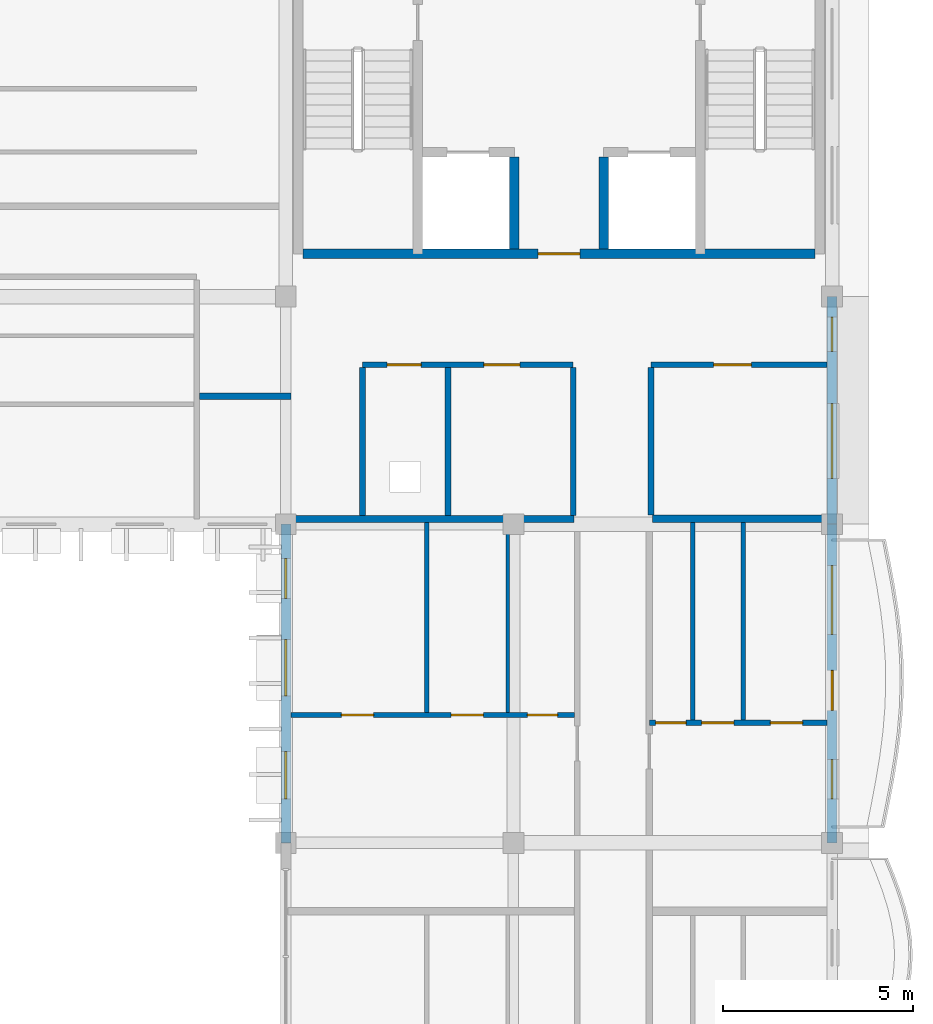
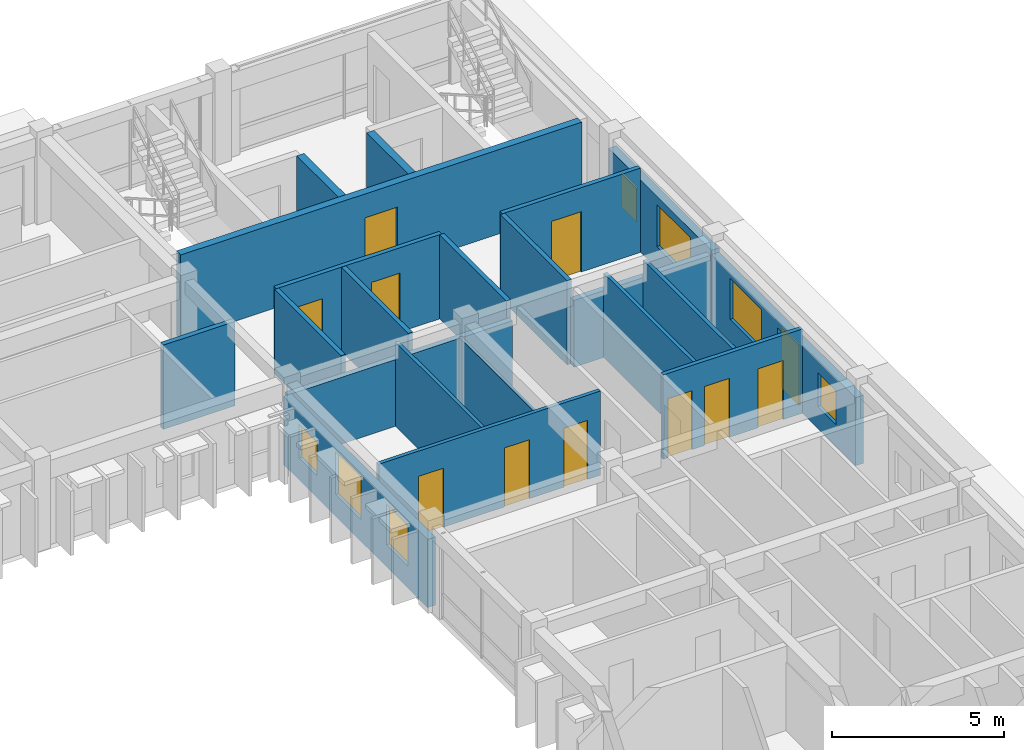
# One storey, part 35 of 54: 21 walls, 11 doors, 7 windows, 18 openings.
"""IFC4 building model written with IfcOpenShell, lengths in metres."""

from ifc_helpers import new_model, si_unit, direction, frame, frame_2d, origin, place, context, subcontext, project, spatial, rectangle, extrude, material, layer, layer_set, type_object, element, fill, save


model = new_model("IFC4")

# Units and contexts
model_context = context("Model", 3, precision=1e-05, world=origin(), true_north=direction((0.0, 1.0)))
body_context = subcontext(model_context, "Body", "Model", "MODEL_VIEW")
ifc_project = project(units=[si_unit("LENGTHUNIT", "METRE"), si_unit("AREAUNIT", "SQUARE_METRE"), si_unit("VOLUMEUNIT", "CUBIC_METRE"), si_unit("PLANEANGLEUNIT", "RADIAN"), si_unit("MASSUNIT", "GRAM", prefix="KILO"), si_unit("THERMODYNAMICTEMPERATUREUNIT", "KELVIN")], contexts=[model_context])

# Site, building, storey
site_placement = place(None, origin())
site = spatial("IfcSite", under=ifc_project, at=site_placement, CompositionType="ELEMENT")
building_placement = place(site_placement, origin())
building = spatial("IfcBuilding", under=site, at=building_placement, Name="Thalorik Housing Commons", CompositionType="ELEMENT")
storey_placement = place(building_placement, frame((0.0, 0.0, 31.199951171875)))
storey = spatial("IfcBuildingStorey", under=building, at=storey_placement, Name="L09", CompositionType="ELEMENT", Elevation=31.199951171875)

# Walls
ifc_material_1 = material(Name="Concrete C40/50", Category="concrete")
ifc_layer_1 = layer(ifc_material_1, 0.25, Name="Concrete C40/50", Category="concrete")
ifc_layer_set_1 = layer_set([ifc_layer_1], Name="Concrete C40/50")
wall_type_1 = type_object("IfcWallType", Name="ARC-WAL-CORE-250", PredefinedType="SHEAR", material=ifc_layer_set_1)
for number, where, z_axis, x_axis, name in (
    (1, (158.425048828125, 118.875, 0.0), (0.0, 0.0, 1.0), (0.0, -1.0, 0.0), "L09 Lift 1 Cheek Wall"),
    (2, (160.77490234375, 118.875, 0.0), (0.0, 0.0, 1.0), (0.0, -1.0, 0.0), "L09 Lift 2 Cheek Wall"),
):
    element("IfcWall", number, at=place(storey_placement, frame(where, z_axis=z_axis, x_axis=x_axis)), inside=storey, type_object=wall_type_1, Name=name, PredefinedType="SHEAR", context=body_context, shape_type="SweptSolid", body=[
        extrude(rectangle(XDim=2.425048828125, YDim=0.25, at=frame_2d((1.21240234375, 0.0))), origin(), (0.0, 0.0, 1.0), 3.0),
    ])

# Wall, opening, door
wall_1_placement = place(storey_placement, frame((152.85009765625, 116.324951171875, 0.0), z_axis=(0.0, 0.0, 1.0), x_axis=(1.0, 0.0, 0.0)))
wall_1 = element("IfcWall", 3, at=wall_1_placement, inside=storey, type_object=wall_type_1, Name="L09 Core B Spine Shear Wall", PredefinedType="SHEAR", context=body_context, shape_type="SweptSolid", body=[
    extrude(rectangle(XDim=13.5, YDim=0.25, at=frame_2d((6.75, 0.0))), origin(), (0.0, 0.0, 1.0), 3.0),
])
opening_1_placement = place(wall_1_placement, frame((6.199951171875, 0.0, 0.0)))
opening_1 = element("IfcOpeningElement", 4, at=opening_1_placement, cuts=wall_1, Name="Opening ID-0221", PredefinedType="OPENING", context=body_context, shape_type="SweptSolid", body=[
    extrude(rectangle(XDim=1.10009765625, YDim=2.14990234375, at=frame_2d((0.550048828125, 1.074951171875))), frame((0.0, 0.135009765625, 0.0), z_axis=(0.0, -1.0, 0.0), x_axis=(1.0, 0.0, 0.0)), (0.0, 0.0, 1.0), 0.27001953125),
])
ifc_material_2 = material(Name="Steel S355", Category="steel")
door_type_1 = type_object("IfcDoorType", Name="ARC-DR-FD60-1100", OperationType="NOTDEFINED", PredefinedType="DOOR", material=ifc_material_2)
door_1_placement = place(opening_1_placement, origin())
door_1 = element("IfcDoor", 5, at=door_1_placement, inside=storey, type_object=door_type_1, Name="L09 Core B Lobby Fire Door", OperationType="SINGLE_SWING_RIGHT", OverallHeight=2.14990234375, OverallWidth=1.10009765625, PredefinedType="DOOR", context=body_context, shape_type="SweptSolid", body=[
    extrude(rectangle(XDim=1.10009765625, YDim=2.14990234375, at=frame_2d((0.550048828125, 1.074951171875))), frame((0.0, 0.02490234375, 0.0), z_axis=(0.0, -1.0, 0.0), x_axis=(1.0, 0.0, 0.0)), (0.0, 0.0, 1.0), 0.050048828125),
])
fill(opening_1, door_1)

# Wall
ifc_material_3 = material(Name="Masonry fire-rated corridor wall", Category="masonry")
ifc_layer_2 = layer(ifc_material_3, 0.1650390625, Name="Masonry fire-rated corridor wall", Category="masonry")
ifc_layer_set_2 = layer_set([ifc_layer_2], Name="Masonry fire-rated corridor wall")
wall_type_2 = type_object("IfcWallType", Name="ARC-WAL-CORR-165", PredefinedType="PARTITIONING", material=ifc_layer_set_2)
wall_2_placement = place(storey_placement, frame((150.126953125, 112.570068359375, 0.0), z_axis=(0.0, 0.0, 1.0), x_axis=(1.0, 0.0, 0.0)))
element("IfcWall", 6, at=wall_2_placement, inside=storey, type_object=wall_type_2, Name="L09 Block B Vestibule South Wall", PredefinedType="PARTITIONING", context=body_context, shape_type="SweptSolid", body=[
    extrude(rectangle(XDim=2.4130859375, YDim=0.1650390625, at=frame_2d((1.20654296875, 0.0))), origin(), (0.0, 0.0, 1.0), 3.0),
])

# Wall, openings, windows
ifc_material_4 = material(Name="White precast concrete C40/50", Category="concrete")
ifc_layer_3 = layer(ifc_material_4, 0.264892578125, Name="White precast concrete C40/50", Category="concrete")
ifc_layer_set_3 = layer_set([ifc_layer_3], Name="White precast concrete C40/50")
wall_type_3 = type_object("IfcWallType", Name="ARC-WAL-EXT-265", PredefinedType="STANDARD", material=ifc_layer_set_3)
wall_3_placement = place(storey_placement, frame((166.800048828125, 109.199951171875, 0.0), z_axis=(0.0, 0.0, 1.0), x_axis=(0.0, 1.0, 0.0)))
wall_3 = element("IfcWall", 7, at=wall_3_placement, inside=storey, type_object=wall_type_3, Name="L09 Exterior Wall WAL-EXT-L09-B-0707", PredefinedType="STANDARD", context=body_context, shape_type="SweptSolid", body=[
    extrude(rectangle(XDim=6.0, YDim=0.264892578125, at=frame_2d((3.0, 0.0))), origin(), (0.0, 0.0, 1.0), 2.574951171875),
])
opening_2_placement = place(wall_3_placement, frame((1.205078125, 0.0, 0.780029296875)))
opening_2 = element("IfcOpeningElement", 8, at=opening_2_placement, cuts=wall_3, Name="Opening W-61", PredefinedType="OPENING", context=body_context, shape_type="SweptSolid", body=[
    extrude(rectangle(XDim=1.97998046875, YDim=1.5, at=frame_2d((0.989990234375, 0.75))), frame((0.0, 0.142578125, 0.0), z_axis=(0.0, -1.0, 0.0), x_axis=(1.0, 0.0, 0.0)), (0.0, 0.0, 1.0), 0.284912109375),
])
opening_3_placement = place(wall_3_placement, frame((4.554931640625, 0.0, 0.780029296875)))
opening_3 = element("IfcOpeningElement", 9, at=opening_3_placement, cuts=wall_3, Name="Opening W-01", PredefinedType="OPENING", context=body_context, shape_type="SweptSolid", body=[
    extrude(rectangle(XDim=0.89990234375, YDim=1.199951171875, at=frame_2d((0.449951171875, 0.60009765625))), frame((0.0, 0.142578125, 0.0), z_axis=(0.0, -1.0, 0.0), x_axis=(1.0, 0.0, 0.0)), (0.0, 0.0, 1.0), 0.284912109375),
])
ifc_material_5 = material(Name="Anodised aluminium and solar-control low-E glass", Category="aluminium")
window_type_1 = type_object("IfcWindowType", Name="ARC-WIN-01", PartitioningType="SINGLE_PANEL", PredefinedType="WINDOW", material=ifc_material_5)
window_1_placement = place(opening_3_placement, origin())
window_1 = element("IfcWindow", 10, at=window_1_placement, inside=storey, type_object=window_type_1, Name="L09 Facade Window 1302", OverallHeight=1.199951171875, OverallWidth=0.89990234375, PartitioningType="SINGLE_PANEL", PredefinedType="WINDOW", context=body_context, shape_type="SweptSolid", body=[
    extrude(rectangle(XDim=0.89990234375, YDim=1.199951171875, at=frame_2d((0.449951171875, 0.60009765625))), frame((0.0, 0.030029296875, 0.0), z_axis=(0.0, -1.0, 0.0), x_axis=(1.0, 0.0, 0.0)), (0.0, 0.0, 1.0), 0.06005859375),
])
fill(opening_3, window_1)
window_type_2 = type_object("IfcWindowType", Name="ARC-WIN-61", PartitioningType="DOUBLE_PANEL_VERTICAL", PredefinedType="WINDOW", material=ifc_material_5)
window_2_placement = place(opening_2_placement, origin())
window_2 = element("IfcWindow", 11, at=window_2_placement, inside=storey, type_object=window_type_2, Name="L09 Facade Window 1301", OverallHeight=1.5, OverallWidth=1.97998046875, PartitioningType="DOUBLE_PANEL_VERTICAL", PredefinedType="WINDOW", context=body_context, shape_type="SweptSolid", body=[
    extrude(rectangle(XDim=1.97998046875, YDim=1.5, at=frame_2d((0.989990234375, 0.75))), frame((0.0, 0.030029296875, 0.0), z_axis=(0.0, -1.0, 0.0), x_axis=(1.0, 0.0, 0.0)), (0.0, 0.0, 1.0), 0.06005859375),
])
fill(opening_2, window_2)

wall_4_placement = place(storey_placement, frame((152.39990234375, 109.199951171875, 0.0), z_axis=(0.0, 0.0, 1.0), x_axis=(0.0, -1.0, 0.0)))
wall_4 = element("IfcWall", 12, at=wall_4_placement, inside=storey, type_object=wall_type_3, Name="L09 Exterior Wall WAL-EXT-L09-B-0733", PredefinedType="STANDARD", context=body_context, shape_type="SweptSolid", body=[
    extrude(rectangle(XDim=8.39990234375, YDim=0.264892578125, at=frame_2d((4.199951171875, 0.0))), origin(), (0.0, 0.0, 1.0), 2.425048828125),
])
opening_4_placement = place(wall_4_placement, frame((0.909912109375, 0.0, 0.780029296875)))
opening_4 = element("IfcOpeningElement", 13, at=opening_4_placement, cuts=wall_4, Name="Opening W-44", PredefinedType="OPENING", context=body_context, shape_type="SweptSolid", body=[
    extrude(rectangle(XDim=1.050048828125, YDim=1.199951171875, at=frame_2d((0.52490234375, 0.60009765625))), frame((0.0, 0.142578125, 0.0), z_axis=(0.0, -1.0, 0.0), x_axis=(1.0, 0.0, 0.0)), (0.0, 0.0, 1.0), 0.284912109375),
])
opening_5_placement = place(wall_4_placement, frame((3.044921875, 0.0, 0.780029296875)))
opening_5 = element("IfcOpeningElement", 14, at=opening_5_placement, cuts=wall_4, Name="Opening W-51", PredefinedType="OPENING", context=body_context, shape_type="SweptSolid", body=[
    extrude(rectangle(XDim=1.47998046875, YDim=1.52001953125, at=frame_2d((0.739990234375, 0.760009765625))), frame((0.0, 0.142578125, 0.0), z_axis=(0.0, -1.0, 0.0), x_axis=(1.0, 0.0, 0.0)), (0.0, 0.0, 1.0), 0.284912109375),
])
opening_6_placement = place(wall_4_placement, frame((5.9951171875, 0.0, 0.780029296875)))
opening_6 = element("IfcOpeningElement", 15, at=opening_6_placement, cuts=wall_4, Name="Opening W-47", PredefinedType="OPENING", context=body_context, shape_type="SweptSolid", body=[
    extrude(rectangle(XDim=1.25, YDim=1.449951171875, at=frame_2d((0.625, 0.72509765625))), frame((0.0, 0.142578125, 0.0), z_axis=(0.0, -1.0, 0.0), x_axis=(1.0, 0.0, 0.0)), (0.0, 0.0, 1.0), 0.284912109375),
])
window_type_3 = type_object("IfcWindowType", Name="ARC-WIN-44", PartitioningType="SINGLE_PANEL", PredefinedType="WINDOW", material=ifc_material_5)
window_3_placement = place(opening_4_placement, origin())
window_3 = element("IfcWindow", 16, at=window_3_placement, inside=storey, type_object=window_type_3, Name="L09 Facade Window 1346", OverallHeight=1.199951171875, OverallWidth=1.050048828125, PartitioningType="SINGLE_PANEL", PredefinedType="WINDOW", context=body_context, shape_type="SweptSolid", body=[
    extrude(rectangle(XDim=1.050048828125, YDim=1.199951171875, at=frame_2d((0.52490234375, 0.60009765625))), frame((0.0, 0.030029296875, 0.0), z_axis=(0.0, -1.0, 0.0), x_axis=(1.0, 0.0, 0.0)), (0.0, 0.0, 1.0), 0.06005859375),
])
fill(opening_4, window_3)
window_type_4 = type_object("IfcWindowType", Name="ARC-WIN-47", PartitioningType="SINGLE_PANEL", PredefinedType="WINDOW", material=ifc_material_5)
window_4_placement = place(opening_6_placement, origin())
window_4 = element("IfcWindow", 17, at=window_4_placement, inside=storey, type_object=window_type_4, Name="L09 Facade Window 1348", OverallHeight=1.449951171875, OverallWidth=1.25, PartitioningType="SINGLE_PANEL", PredefinedType="WINDOW", context=body_context, shape_type="SweptSolid", body=[
    extrude(rectangle(XDim=1.25, YDim=1.449951171875, at=frame_2d((0.625, 0.72509765625))), frame((0.0, 0.030029296875, 0.0), z_axis=(0.0, -1.0, 0.0), x_axis=(1.0, 0.0, 0.0)), (0.0, 0.0, 1.0), 0.06005859375),
])
fill(opening_6, window_4)
window_type_5 = type_object("IfcWindowType", Name="ARC-WIN-51", PartitioningType="SINGLE_PANEL", PredefinedType="WINDOW", material=ifc_material_5)
window_5_placement = place(opening_5_placement, origin())
window_5 = element("IfcWindow", 18, at=window_5_placement, inside=storey, type_object=window_type_5, Name="L09 Facade Window 1347", OverallHeight=1.52001953125, OverallWidth=1.47998046875, PartitioningType="SINGLE_PANEL", PredefinedType="WINDOW", context=body_context, shape_type="SweptSolid", body=[
    extrude(rectangle(XDim=1.47998046875, YDim=1.52001953125, at=frame_2d((0.739990234375, 0.760009765625))), frame((0.0, 0.030029296875, 0.0), z_axis=(0.0, -1.0, 0.0), x_axis=(1.0, 0.0, 0.0)), (0.0, 0.0, 1.0), 0.06005859375),
])
fill(opening_5, window_5)

# Wall, openings, door, windows
wall_5_placement = place(storey_placement, frame((166.800048828125, 100.800048828125, 0.0), z_axis=(0.0, 0.0, 1.0), x_axis=(0.0, 1.0, 0.0)))
wall_5 = element("IfcWall", 19, at=wall_5_placement, inside=storey, type_object=wall_type_3, Name="L09 Exterior Wall WAL-EXT-L09-B-0742", PredefinedType="STANDARD", context=body_context, shape_type="SweptSolid", body=[
    extrude(rectangle(XDim=8.39990234375, YDim=0.264892578125, at=frame_2d((4.199951171875, 0.0))), origin(), (0.0, 0.0, 1.0), 2.425048828125),
])
opening_7_placement = place(wall_5_placement, frame((3.4931640625, 0.0, 0.0)))
opening_7 = element("IfcOpeningElement", 20, at=opening_7_placement, cuts=wall_5, Name="Opening ED-0249", PredefinedType="OPENING", context=body_context, shape_type="SweptSolid", body=[
    extrude(rectangle(XDim=1.050048828125, YDim=2.14990234375, at=frame_2d((0.52490234375, 1.074951171875))), frame((0.0, 0.142578125, 0.0), z_axis=(0.0, -1.0, 0.0), x_axis=(1.0, 0.0, 0.0)), (0.0, 0.0, 1.0), 0.284912109375),
])
opening_8_placement = place(wall_5_placement, frame((1.151611328125, 0.0, 0.780029296875)))
opening_8 = element("IfcOpeningElement", 21, at=opening_8_placement, cuts=wall_5, Name="Opening W-44", PredefinedType="OPENING", context=body_context, shape_type="SweptSolid", body=[
    extrude(rectangle(XDim=1.050048828125, YDim=1.199951171875, at=frame_2d((0.52490234375, 0.60009765625))), frame((0.0, 0.142578125, 0.0), z_axis=(0.0, -1.0, 0.0), x_axis=(1.0, 0.0, 0.0)), (0.0, 0.0, 1.0), 0.284912109375),
])
opening_9_placement = place(wall_5_placement, frame((5.49169921875, 0.0, 0.780029296875)))
opening_9 = element("IfcOpeningElement", 22, at=opening_9_placement, cuts=wall_5, Name="Opening W-58", PredefinedType="OPENING", context=body_context, shape_type="SweptSolid", body=[
    extrude(rectangle(XDim=1.820068359375, YDim=1.4599609375, at=frame_2d((0.91015625, 0.72998046875))), frame((0.0, 0.142578125, 0.0), z_axis=(0.0, -1.0, 0.0), x_axis=(1.0, 0.0, 0.0)), (0.0, 0.0, 1.0), 0.284912109375),
])
ifc_material_6 = material(Name="Anodised aluminium and laminated safety glass", Category="aluminium")
door_type_2 = type_object("IfcDoorType", Name="ARC-DR-BAL-1050", OperationType="NOTDEFINED", PredefinedType="DOOR", material=ifc_material_6)
door_2_placement = place(opening_7_placement, frame((1.050048828125, 0.0, 0.0), z_axis=(0.0, 0.0, 1.0), x_axis=(-1.0, 0.0, 0.0)))
door_2 = element("IfcDoor", 23, at=door_2_placement, inside=storey, type_object=door_type_2, Name="L09 Block B Balcony Glazed Door", OperationType="SINGLE_SWING_RIGHT", OverallHeight=2.14990234375, OverallWidth=1.050048828125, PredefinedType="DOOR", context=body_context, shape_type="SweptSolid", body=[
    extrude(rectangle(XDim=1.050048828125, YDim=2.14990234375, at=frame_2d((0.52490234375, 1.074951171875))), frame((0.0, 0.02490234375, 0.0), z_axis=(0.0, -1.0, 0.0), x_axis=(1.0, 0.0, 0.0)), (0.0, 0.0, 1.0), 0.050048828125),
])
fill(opening_7, door_2)
window_6_placement = place(opening_8_placement, origin())
window_6 = element("IfcWindow", 24, at=window_6_placement, inside=storey, type_object=window_type_3, Name="L09 Facade Window 1363", OverallHeight=1.199951171875, OverallWidth=1.050048828125, PartitioningType="SINGLE_PANEL", PredefinedType="WINDOW", context=body_context, shape_type="SweptSolid", body=[
    extrude(rectangle(XDim=1.050048828125, YDim=1.199951171875, at=frame_2d((0.52490234375, 0.60009765625))), frame((0.0, 0.030029296875, 0.0), z_axis=(0.0, -1.0, 0.0), x_axis=(1.0, 0.0, 0.0)), (0.0, 0.0, 1.0), 0.06005859375),
])
fill(opening_8, window_6)
window_type_6 = type_object("IfcWindowType", Name="ARC-WIN-58", PartitioningType="DOUBLE_PANEL_VERTICAL", PredefinedType="WINDOW", material=ifc_material_5)
window_7_placement = place(opening_9_placement, origin())
window_7 = element("IfcWindow", 25, at=window_7_placement, inside=storey, type_object=window_type_6, Name="L09 Facade Window 1364", OverallHeight=1.4599609375, OverallWidth=1.820068359375, PartitioningType="DOUBLE_PANEL_VERTICAL", PredefinedType="WINDOW", context=body_context, shape_type="SweptSolid", body=[
    extrude(rectangle(XDim=1.820068359375, YDim=1.4599609375, at=frame_2d((0.91015625, 0.72998046875))), frame((0.0, 0.030029296875, 0.0), z_axis=(0.0, -1.0, 0.0), x_axis=(1.0, 0.0, 0.0)), (0.0, 0.0, 1.0), 0.06005859375),
])
fill(opening_9, window_7)

# Walls
ifc_material_7 = material(Name="Gypsum light stud partition", Category="masonry")
ifc_layer_4 = layer(ifc_material_7, 0.10009765625, Name="Gypsum light stud partition", Category="masonry")
ifc_layer_set_4 = layer_set([ifc_layer_4], Name="Gypsum light stud partition")
wall_type_4 = type_object("IfcWallType", Name="ARC-WAL-PART-100", PredefinedType="PARTITIONING", material=ifc_layer_set_4)
wall_6_placement = place(storey_placement, frame((158.251220703125, 104.234619140625, 0.0), z_axis=(0.0, 0.0, 1.0), x_axis=(0.0, 1.0, 0.0)))
element("IfcWall", 26, at=wall_6_placement, inside=storey, type_object=wall_type_4, Name="L09 Unit 3 Wet Wall", PredefinedType="PARTITIONING", context=body_context, shape_type="SweptSolid", body=[
    extrude(rectangle(XDim=5.010986328125, YDim=0.10009765625, at=frame_2d((2.50537109375, 0.0))), origin(), (0.0, 0.0, 1.0), 2.425048828125),
])
ifc_material_8 = material(Name="Gypsum moisture-resistant partition", Category="masonry")
ifc_layer_5 = layer(ifc_material_8, 0.114990234375, Name="Gypsum moisture-resistant partition", Category="masonry")
ifc_layer_set_5 = layer_set([ifc_layer_5], Name="Gypsum moisture-resistant partition")
wall_type_5 = type_object("IfcWallType", Name="ARC-WAL-PART-115", PredefinedType="PARTITIONING", material=ifc_layer_set_5)
wall_7_placement = place(storey_placement, frame((156.11767578125, 104.234619140625, 0.0), z_axis=(0.0, 0.0, 1.0), x_axis=(0.0, 1.0, 0.0)))
element("IfcWall", 27, at=wall_7_placement, inside=storey, type_object=wall_type_5, Name="L09 Unit 3 Bedroom Partition", PredefinedType="PARTITIONING", context=body_context, shape_type="SweptSolid", body=[
    extrude(rectangle(XDim=5.010986328125, YDim=0.114990234375, at=frame_2d((2.50537109375, 0.0))), origin(), (0.0, 0.0, 1.0), 3.0),
])
wall_8_placement = place(storey_placement, frame((163.122314453125, 104.03515625, 0.0), z_axis=(0.0, 0.0, 1.0), x_axis=(0.0, 1.0, 0.0)))
element("IfcWall", 28, at=wall_8_placement, inside=storey, type_object=wall_type_5, Name="L09 Unit 3B Wet Wall", PredefinedType="PARTITIONING", context=body_context, shape_type="SweptSolid", body=[
    extrude(rectangle(XDim=5.202880859375, YDim=0.114990234375, at=frame_2d((2.6015625, 0.0))), origin(), (0.0, 0.0, 1.0), 3.0),
])

# Wall, openings, doors
ifc_material_9 = material(Name="Gypsum acoustic stud partition", Category="masonry")
ifc_layer_6 = layer(ifc_material_9, 0.125, Name="Gypsum acoustic stud partition", Category="masonry")
ifc_layer_set_6 = layer_set([ifc_layer_6], Name="Gypsum acoustic stud partition")
wall_type_6 = type_object("IfcWallType", Name="ARC-WAL-PART-125", PredefinedType="PARTITIONING", material=ifc_layer_set_6)
wall_9_placement = place(storey_placement, frame((152.534423828125, 104.169921875, 0.0), z_axis=(0.0, 0.0, 1.0), x_axis=(1.0, 0.0, 0.0)))
wall_9 = element("IfcWall", 29, at=wall_9_placement, inside=storey, type_object=wall_type_6, Name="L09 Unit 3 Spine Partition", PredefinedType="PARTITIONING", context=body_context, shape_type="SweptSolid", body=[
    extrude(rectangle(XDim=7.468505859375, YDim=0.125, at=frame_2d((3.734375, 0.0))), origin(), (0.0, 0.0, 1.0), 3.0),
])
opening_10_placement = place(wall_9_placement, frame((1.329345703125, 0.0, 0.0)))
opening_10 = element("IfcOpeningElement", 30, at=opening_10_placement, cuts=wall_9, Name="Opening ID-1418", PredefinedType="OPENING", context=body_context, shape_type="SweptSolid", body=[
    extrude(rectangle(XDim=0.85009765625, YDim=2.10009765625, at=frame_2d((0.425048828125, 1.050048828125))), frame((0.0, 0.072509765625, 0.0), z_axis=(0.0, -1.0, 0.0), x_axis=(1.0, 0.0, 0.0)), (0.0, 0.0, 1.0), 0.14501953125),
])
opening_11_placement = place(wall_9_placement, frame((4.224853515625, 0.0, 0.0)))
opening_11 = element("IfcOpeningElement", 31, at=opening_11_placement, cuts=wall_9, Name="Opening ID-1419", PredefinedType="OPENING", context=body_context, shape_type="SweptSolid", body=[
    extrude(rectangle(XDim=0.85009765625, YDim=2.10009765625, at=frame_2d((0.425048828125, 1.050048828125))), frame((0.0, 0.072509765625, 0.0), z_axis=(0.0, -1.0, 0.0), x_axis=(1.0, 0.0, 0.0)), (0.0, 0.0, 1.0), 0.14501953125),
])
opening_12_placement = place(wall_9_placement, frame((6.231201171875, 0.0, 0.0)))
opening_12 = element("IfcOpeningElement", 32, at=opening_12_placement, cuts=wall_9, Name="Opening ID-1420", PredefinedType="OPENING", context=body_context, shape_type="SweptSolid", body=[
    extrude(rectangle(XDim=0.800048828125, YDim=2.10009765625, at=frame_2d((0.39990234375, 1.050048828125))), frame((0.0, 0.072509765625, 0.0), z_axis=(0.0, -1.0, 0.0), x_axis=(1.0, 0.0, 0.0)), (0.0, 0.0, 1.0), 0.14501953125),
])
ifc_material_10 = material(Name="Moisture-resistant timber", Category="wood")
door_type_3 = type_object("IfcDoorType", Name="ARC-DR-INT-800", OperationType="NOTDEFINED", PredefinedType="DOOR", material=ifc_material_10)
door_3_placement = place(opening_12_placement, origin())
door_3 = element("IfcDoor", 33, at=door_3_placement, inside=storey, type_object=door_type_3, Name="L09 Flat Bathroom Door", OperationType="SINGLE_SWING_LEFT", OverallHeight=2.10009765625, OverallWidth=0.800048828125, PredefinedType="DOOR", context=body_context, shape_type="SweptSolid", body=[
    extrude(rectangle(XDim=0.800048828125, YDim=2.10009765625, at=frame_2d((0.39990234375, 1.050048828125))), frame((0.0, 0.02490234375, 0.0), z_axis=(0.0, -1.0, 0.0), x_axis=(1.0, 0.0, 0.0)), (0.0, 0.0, 1.0), 0.050048828125),
])
fill(opening_12, door_3)
ifc_material_11 = material(Name="Engineered oak timber", Category="wood")
door_type_4 = type_object("IfcDoorType", Name="ARC-DR-INT-850", OperationType="NOTDEFINED", PredefinedType="DOOR", material=ifc_material_11)
door_4_placement = place(opening_10_placement, origin())
door_4 = element("IfcDoor", 34, at=door_4_placement, inside=storey, type_object=door_type_4, Name="L09 Double Bedroom Door", OperationType="SINGLE_SWING_LEFT", OverallHeight=2.10009765625, OverallWidth=0.85009765625, PredefinedType="DOOR", context=body_context, shape_type="SweptSolid", body=[
    extrude(rectangle(XDim=0.85009765625, YDim=2.10009765625, at=frame_2d((0.425048828125, 1.050048828125))), frame((0.0, 0.02490234375, 0.0), z_axis=(0.0, -1.0, 0.0), x_axis=(1.0, 0.0, 0.0)), (0.0, 0.0, 1.0), 0.050048828125),
])
fill(opening_10, door_4)
door_5_placement = place(opening_11_placement, origin())
door_5 = element("IfcDoor", 35, at=door_5_placement, inside=storey, type_object=door_type_4, Name="L09 Galley Kitchen Door", OperationType="SINGLE_SWING_RIGHT", OverallHeight=2.10009765625, OverallWidth=0.85009765625, PredefinedType="DOOR", context=body_context, shape_type="SweptSolid", body=[
    extrude(rectangle(XDim=0.85009765625, YDim=2.10009765625, at=frame_2d((0.425048828125, 1.050048828125))), frame((0.0, 0.02490234375, 0.0), z_axis=(0.0, -1.0, 0.0), x_axis=(1.0, 0.0, 0.0)), (0.0, 0.0, 1.0), 0.050048828125),
])
fill(opening_11, door_5)

# Wall
wall_10_placement = place(storey_placement, frame((164.455078125, 104.03515625, 0.0), z_axis=(0.0, 0.0, 1.0), x_axis=(0.0, 1.0, 0.0)))
element("IfcWall", 36, at=wall_10_placement, inside=storey, type_object=wall_type_6, Name="L09 Unit 3B Bedroom Partition", PredefinedType="PARTITIONING", context=body_context, shape_type="SweptSolid", body=[
    extrude(rectangle(XDim=5.202880859375, YDim=0.125, at=frame_2d((2.6015625, 0.0))), origin(), (0.0, 0.0, 1.0), 3.0),
])

# Wall, openings, doors
ifc_material_12 = material(Name="Ceramic masonry partition wall", Category="masonry")
ifc_layer_7 = layer(ifc_material_12, 0.139892578125, Name="Ceramic masonry partition wall", Category="masonry")
ifc_layer_set_7 = layer_set([ifc_layer_7], Name="Ceramic masonry partition wall")
wall_type_7 = type_object("IfcWallType", Name="ARC-WAL-PART-140", PredefinedType="PARTITIONING", material=ifc_layer_set_7)
wall_11_placement = place(storey_placement, frame((161.97998046875, 103.963134765625, 0.0), z_axis=(0.0, 0.0, 1.0), x_axis=(1.0, 0.0, 0.0)))
wall_11 = element("IfcWall", 37, at=wall_11_placement, inside=storey, type_object=wall_type_7, Name="L09 Unit 3B Spine Partition", PredefinedType="PARTITIONING", context=body_context, shape_type="SweptSolid", body=[
    extrude(rectangle(XDim=4.685546875, YDim=0.139892578125, at=frame_2d((2.3427734375, 0.0))), origin(), (0.0, 0.0, 1.0), 3.0),
])
opening_13_placement = place(wall_11_placement, frame((0.171142578125, 0.0, 0.0)))
opening_13 = element("IfcOpeningElement", 38, at=opening_13_placement, cuts=wall_11, Name="Opening ID-1421", PredefinedType="OPENING", context=body_context, shape_type="SweptSolid", body=[
    extrude(rectangle(XDim=0.800048828125, YDim=2.10009765625, at=frame_2d((0.39990234375, 1.050048828125))), frame((0.0, 0.080078125, 0.0), z_axis=(0.0, -1.0, 0.0), x_axis=(1.0, 0.0, 0.0)), (0.0, 0.0, 1.0), 0.159912109375),
])
opening_14_placement = place(wall_11_placement, frame((1.3837890625, 0.0, 0.0)))
opening_14 = element("IfcOpeningElement", 39, at=opening_14_placement, cuts=wall_11, Name="Opening ID-1422", PredefinedType="OPENING", context=body_context, shape_type="SweptSolid", body=[
    extrude(rectangle(XDim=0.85009765625, YDim=2.10009765625, at=frame_2d((0.425048828125, 1.050048828125))), frame((0.0, 0.080078125, 0.0), z_axis=(0.0, -1.0, 0.0), x_axis=(1.0, 0.0, 0.0)), (0.0, 0.0, 1.0), 0.159912109375),
])
opening_15_placement = place(wall_11_placement, frame((3.192626953125, 0.0, 0.0)))
opening_15 = element("IfcOpeningElement", 40, at=opening_15_placement, cuts=wall_11, Name="Opening ID-1423", PredefinedType="OPENING", context=body_context, shape_type="SweptSolid", body=[
    extrude(rectangle(XDim=0.85009765625, YDim=2.10009765625, at=frame_2d((0.425048828125, 1.050048828125))), frame((0.0, 0.080078125, 0.0), z_axis=(0.0, -1.0, 0.0), x_axis=(1.0, 0.0, 0.0)), (0.0, 0.0, 1.0), 0.159912109375),
])
door_6_placement = place(opening_13_placement, origin())
door_6 = element("IfcDoor", 41, at=door_6_placement, inside=storey, type_object=door_type_3, Name="L09 Accessible Bathroom Door", OperationType="SINGLE_SWING_RIGHT", OverallHeight=2.10009765625, OverallWidth=0.800048828125, PredefinedType="DOOR", context=body_context, shape_type="SweptSolid", body=[
    extrude(rectangle(XDim=0.800048828125, YDim=2.10009765625, at=frame_2d((0.39990234375, 1.050048828125))), frame((0.0, 0.02490234375, 0.0), z_axis=(0.0, -1.0, 0.0), x_axis=(1.0, 0.0, 0.0)), (0.0, 0.0, 1.0), 0.050048828125),
])
fill(opening_13, door_6)
door_7_placement = place(opening_14_placement, origin())
door_7 = element("IfcDoor", 42, at=door_7_placement, inside=storey, type_object=door_type_4, Name="L09 Eat-In Kitchen Door", OperationType="SINGLE_SWING_LEFT", OverallHeight=2.10009765625, OverallWidth=0.85009765625, PredefinedType="DOOR", context=body_context, shape_type="SweptSolid", body=[
    extrude(rectangle(XDim=0.85009765625, YDim=2.10009765625, at=frame_2d((0.425048828125, 1.050048828125))), frame((0.0, 0.02490234375, 0.0), z_axis=(0.0, -1.0, 0.0), x_axis=(1.0, 0.0, 0.0)), (0.0, 0.0, 1.0), 0.050048828125),
])
fill(opening_14, door_7)
door_8_placement = place(opening_15_placement, origin())
door_8 = element("IfcDoor", 43, at=door_8_placement, inside=storey, type_object=door_type_4, Name="L09 Master Bedroom Door", OperationType="SINGLE_SWING_RIGHT", OverallHeight=2.10009765625, OverallWidth=0.85009765625, PredefinedType="DOOR", context=body_context, shape_type="SweptSolid", body=[
    extrude(rectangle(XDim=0.85009765625, YDim=2.10009765625, at=frame_2d((0.425048828125, 1.050048828125))), frame((0.0, 0.02490234375, 0.0), z_axis=(0.0, -1.0, 0.0), x_axis=(1.0, 0.0, 0.0)), (0.0, 0.0, 1.0), 0.050048828125),
])
fill(opening_15, door_8)

# Walls
ifc_layer_8 = layer(ifc_material_12, 0.14794921875, Name="Ceramic masonry partition wall", Category="masonry")
ifc_layer_set_8 = layer_set([ifc_layer_8], Name="Ceramic masonry partition wall")
wall_type_8 = type_object("IfcWallType", Name="ARC-WAL-PART-150", PredefinedType="PARTITIONING", material=ifc_layer_set_8)
for number, where, z_axis, x_axis, name in (
    (44, (154.419921875, 113.323974609375, 0.0), (0.0, 0.0, 1.0), (0.0, -1.0, 0.0), "Core West Enclosing Wall"),
    (45, (156.675048828125, 113.323974609375, 0.0), (0.0, 0.0, 1.0), (0.0, -1.0, 0.0), "Riser Wall"),
    (46, (159.97509765625, 113.323974609375, 0.0), (0.0, 0.0, 1.0), (0.0, -1.0, 0.0), "Core Stem West Cheek Wall"),
):
    element("IfcWall", number, at=place(storey_placement, frame(where, z_axis=z_axis, x_axis=x_axis)), inside=storey, type_object=wall_type_8, Name=name, PredefinedType="PARTITIONING", context=body_context, shape_type="SweptSolid", body=[
        extrude(rectangle(XDim=3.889404296875, YDim=0.14794921875, at=frame_2d((1.94482421875, 0.0))), origin(), (0.0, 0.0, 1.0), 3.0),
    ])
wall_12_placement = place(storey_placement, frame((162.02490234375, 113.323974609375, 0.0), z_axis=(0.0, 0.0, 1.0), x_axis=(0.0, -1.0, 0.0)))
element("IfcWall", 47, at=wall_12_placement, inside=storey, type_object=wall_type_8, Name="Core Stem East Cheek Wall", PredefinedType="PARTITIONING", context=body_context, shape_type="SweptSolid", body=[
    extrude(rectangle(XDim=3.882080078125, YDim=0.14794921875, at=frame_2d((1.94091796875, 0.0))), origin(), (0.0, 0.0, 1.0), 3.0),
])

# Wall, openings, doors
wall_13_placement = place(storey_placement, frame((154.419921875, 113.39990234375, 0.0), z_axis=(0.0, 0.0, 1.0), x_axis=(1.0, 0.0, 0.0)))
wall_13 = element("IfcWall", 48, at=wall_13_placement, inside=storey, type_object=wall_type_8, Name="L09 Core B West Corridor Partition", PredefinedType="PARTITIONING", context=body_context, shape_type="SweptSolid", body=[
    extrude(rectangle(XDim=5.55517578125, YDim=0.14794921875, at=frame_2d((2.777587890625, 0.0))), origin(), (0.0, 0.0, 1.0), 3.0),
])
opening_16_placement = place(wall_13_placement, frame((0.64990234375, 0.0, 0.0)))
opening_16 = element("IfcOpeningElement", 49, at=opening_16_placement, cuts=wall_13, Name="Opening ID-0222", PredefinedType="OPENING", context=body_context, shape_type="SweptSolid", body=[
    extrude(rectangle(XDim=0.89990234375, YDim=2.10009765625, at=frame_2d((0.449951171875, 1.050048828125))), frame((0.0, 0.083984375, 0.0), z_axis=(0.0, -1.0, 0.0), x_axis=(1.0, 0.0, 0.0)), (0.0, 0.0, 1.0), 0.16796875),
])
opening_17_placement = place(wall_13_placement, frame((3.199951171875, 0.0, 0.0)))
opening_17 = element("IfcOpeningElement", 50, at=opening_17_placement, cuts=wall_13, Name="Opening ID-0223", PredefinedType="OPENING", context=body_context, shape_type="SweptSolid", body=[
    extrude(rectangle(XDim=0.949951171875, YDim=2.10009765625, at=frame_2d((0.47509765625, 1.050048828125))), frame((0.0, 0.083984375, 0.0), z_axis=(0.0, -1.0, 0.0), x_axis=(1.0, 0.0, 0.0)), (0.0, 0.0, 1.0), 0.16796875),
])
door_type_5 = type_object("IfcDoorType", Name="ARC-DR-FD60-900", OperationType="NOTDEFINED", PredefinedType="DOOR", material=ifc_material_2)
door_9_placement = place(opening_16_placement, origin())
door_9 = element("IfcDoor", 51, at=door_9_placement, inside=storey, type_object=door_type_5, Name="Electrical Riser Door", OperationType="SINGLE_SWING_LEFT", OverallHeight=2.10009765625, OverallWidth=0.89990234375, PredefinedType="DOOR", context=body_context, shape_type="SweptSolid", body=[
    extrude(rectangle(XDim=0.89990234375, YDim=2.10009765625, at=frame_2d((0.449951171875, 1.050048828125))), frame((0.0, 0.02490234375, 0.0), z_axis=(0.0, -1.0, 0.0), x_axis=(1.0, 0.0, 0.0)), (0.0, 0.0, 1.0), 0.050048828125),
])
fill(opening_16, door_9)
door_type_6 = type_object("IfcDoorType", Name="ARC-DR-INT-950", OperationType="NOTDEFINED", PredefinedType="DOOR", material=ifc_material_11)
door_10_placement = place(opening_17_placement, origin())
door_10 = element("IfcDoor", 52, at=door_10_placement, inside=storey, type_object=door_type_6, Name="Accessible Bathroom Door", OperationType="SINGLE_SWING_RIGHT", OverallHeight=2.10009765625, OverallWidth=0.949951171875, PredefinedType="DOOR", context=body_context, shape_type="SweptSolid", body=[
    extrude(rectangle(XDim=0.949951171875, YDim=2.10009765625, at=frame_2d((0.47509765625, 1.050048828125))), frame((0.0, 0.02490234375, 0.0), z_axis=(0.0, -1.0, 0.0), x_axis=(1.0, 0.0, 0.0)), (0.0, 0.0, 1.0), 0.050048828125),
])
fill(opening_17, door_10)

# Wall, opening, door
wall_14_placement = place(storey_placement, frame((162.02490234375, 113.39990234375, 0.0), z_axis=(0.0, 0.0, 1.0), x_axis=(1.0, 0.0, 0.0)))
wall_14 = element("IfcWall", 53, at=wall_14_placement, inside=storey, type_object=wall_type_8, Name="L09 Core B East Corridor Partition", PredefinedType="PARTITIONING", context=body_context, shape_type="SweptSolid", body=[
    extrude(rectangle(XDim=4.635009765625, YDim=0.14794921875, at=frame_2d((2.3173828125, 0.0))), origin(), (0.0, 0.0, 1.0), 3.0),
])
opening_18_placement = place(wall_14_placement, frame((1.64990234375, 0.0, 0.0)))
opening_18 = element("IfcOpeningElement", 54, at=opening_18_placement, cuts=wall_14, Name="Opening ID-0224", PredefinedType="OPENING", context=body_context, shape_type="SweptSolid", body=[
    extrude(rectangle(XDim=1.0, YDim=2.14990234375, at=frame_2d((0.5, 1.074951171875))), frame((0.0, 0.083984375, 0.0), z_axis=(0.0, -1.0, 0.0), x_axis=(1.0, 0.0, 0.0)), (0.0, 0.0, 1.0), 0.16796875),
])
door_type_7 = type_object("IfcDoorType", Name="ARC-DR-FD60-1000", OperationType="NOTDEFINED", PredefinedType="DOOR", material=ifc_material_2)
door_11_placement = place(opening_18_placement, origin())
door_11 = element("IfcDoor", 55, at=door_11_placement, inside=storey, type_object=door_type_7, Name="Core Hub Room Door", OperationType="SINGLE_SWING_LEFT", OverallHeight=2.14990234375, OverallWidth=1.0, PredefinedType="DOOR", context=body_context, shape_type="SweptSolid", body=[
    extrude(rectangle(XDim=1.0, YDim=2.14990234375, at=frame_2d((0.5, 1.074951171875))), frame((0.0, 0.02490234375, 0.0), z_axis=(0.0, -1.0, 0.0), x_axis=(1.0, 0.0, 0.0)), (0.0, 0.0, 1.0), 0.050048828125),
])
fill(opening_18, door_11)

# Walls
ifc_material_13 = material(Name="Masonry acoustic blockwork wall", Category="masonry")
ifc_layer_9 = layer(ifc_material_13, 0.18505859375, Name="Masonry acoustic blockwork wall", Category="masonry")
ifc_layer_set_9 = layer_set([ifc_layer_9], Name="Masonry acoustic blockwork wall")
wall_type_9 = type_object("IfcWallType", Name="ARC-WAL-PARTY-185", PredefinedType="PARTITIONING", material=ifc_layer_set_9)
wall_15_placement = place(storey_placement, frame((152.4599609375, 109.340087890625, 0.0), z_axis=(0.0, 0.0, 1.0), x_axis=(1.0, 0.0, 0.0)))
element("IfcWall", 56, at=wall_15_placement, inside=storey, type_object=wall_type_9, Name="L09 Core End Wall A", PredefinedType="PARTITIONING", context=body_context, shape_type="SweptSolid", body=[
    extrude(rectangle(XDim=7.54296875, YDim=0.18505859375, at=frame_2d((3.771484375, 0.0))), origin(), (0.0, 0.0, 1.0), 2.375),
])
ifc_material_14 = material(Name="Precast concrete C40/50 acoustic wall", Category="concrete")
ifc_layer_10 = layer(ifc_material_14, 0.199951171875, Name="Precast concrete C40/50 acoustic wall", Category="concrete")
ifc_layer_set_10 = layer_set([ifc_layer_10], Name="Precast concrete C40/50 acoustic wall")
wall_type_10 = type_object("IfcWallType", Name="ARC-WAL-PARTY-200", PredefinedType="PARTITIONING", material=ifc_layer_set_10)
wall_16_placement = place(storey_placement, frame((162.064453125, 109.340087890625, 0.0), z_axis=(0.0, 0.0, 1.0), x_axis=(1.0, 0.0, 0.0)))
element("IfcWall", 57, at=wall_16_placement, inside=storey, type_object=wall_type_10, Name="L09 Core End Wall B", PredefinedType="PARTITIONING", context=body_context, shape_type="SweptSolid", body=[
    extrude(rectangle(XDim=4.60107421875, YDim=0.199951171875, at=frame_2d((2.300537109375, 0.0))), origin(), (0.0, 0.0, 1.0), 2.375),
])

save(model, "model.ifc")
